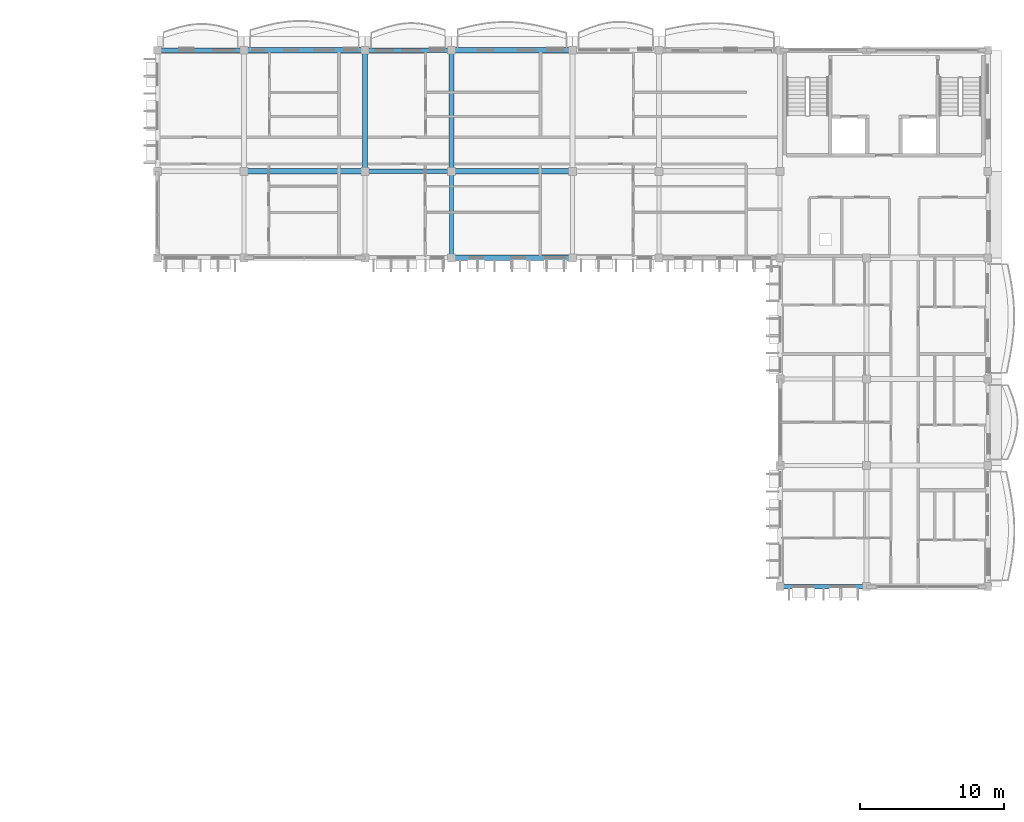
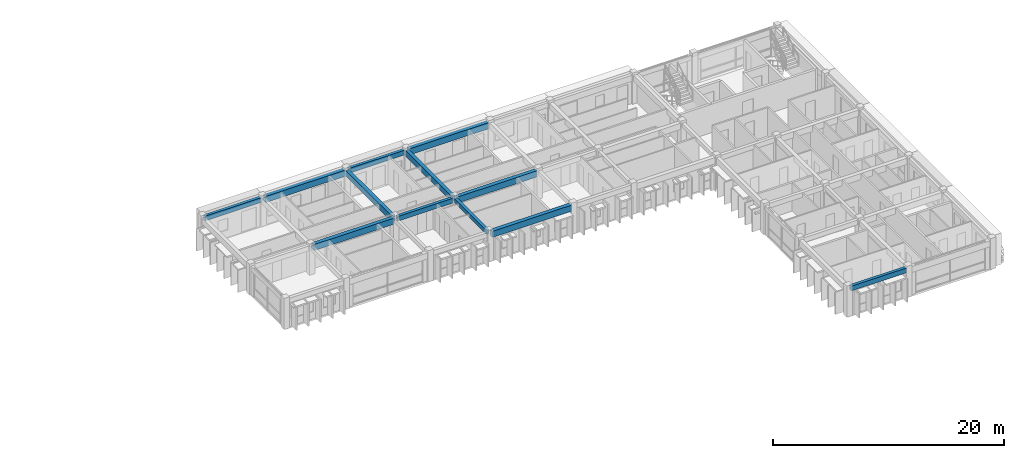
# One storey, part 5 of 31: 12 beams.
"""IFC4 building model written with IfcOpenShell, lengths in metres."""

from ifc_helpers import new_model, si_unit, direction, frame, origin, origin_2d, place, context, subcontext, project, spatial, rectangle, extrude, material, material_profile, profile_set, type_object, element, save


model = new_model("IFC4")

# Units and contexts
model_context = context("Model", 3, precision=1e-05, world=origin(), true_north=direction((0.0, 1.0)))
body_context = subcontext(model_context, "Body", "Model", "MODEL_VIEW")
ifc_project = project(units=[si_unit("LENGTHUNIT", "METRE"), si_unit("AREAUNIT", "SQUARE_METRE"), si_unit("VOLUMEUNIT", "CUBIC_METRE"), si_unit("PLANEANGLEUNIT", "RADIAN"), si_unit("MASSUNIT", "GRAM", prefix="KILO"), si_unit("THERMODYNAMICTEMPERATUREUNIT", "KELVIN")], contexts=[model_context])

# Site, building, storey
site_placement = place(None, origin())
site = spatial("IfcSite", under=ifc_project, at=site_placement, CompositionType="ELEMENT")
building_placement = place(site_placement, origin())
building = spatial("IfcBuilding", under=site, at=building_placement, Name="Thalorik Housing Commons", CompositionType="ELEMENT")
storey_placement = place(building_placement, frame((0.0, 0.0, 37.800048828125)))
storey = spatial("IfcBuildingStorey", under=building, at=storey_placement, Name="L11", CompositionType="ELEMENT", Elevation=37.800048828125)

# Beams
ifc_material = material(Name="Precast concrete C40/50", Category="concrete")
ifc_material_profile_1 = material_profile(ifc_material, rectangle(XDim=0.280029296875, YDim=0.449951171875, at=origin_2d()), Name="PC 280x450", Category="concrete")
ifc_profile_set_1 = profile_set([ifc_material_profile_1], Name="Precast concrete C40/50")
beam_type_1 = type_object("IfcBeamType", Name="STR-BM-PC280x450", PredefinedType="BEAM", material=ifc_profile_set_1)
beam_placement = place(storey_placement, frame((129.60009765625, 109.425048828125, 2.81494140625), z_axis=(0.0, 1.0, 0.0), x_axis=(-1.0, 0.0, 0.0)))
element("IfcBeam", 1, at=beam_placement, inside=storey, type_object=beam_type_1, Name="L11 Beam B-450", PredefinedType="BEAM", context=body_context, shape_type="SweptSolid", body=[
    extrude(rectangle(XDim=0.280029296875, YDim=0.449951171875, at=origin_2d()), origin(), (0.0, 0.0, 1.0), 5.550048828125),
])
ifc_material_profile_2 = material_profile(ifc_material, rectangle(XDim=0.300048828125, YDim=0.5, at=origin_2d()), Name="PC 300x500", Category="concrete")
ifc_profile_set_2 = profile_set([ifc_material_profile_2], Name="Precast concrete C40/50")
beam_type_2 = type_object("IfcBeamType", Name="STR-BM-PC300x500", PredefinedType="BEAM", material=ifc_profile_set_2)
for number, where, z_axis, x_axis, name in (
    (2, (152.625, 86.39990234375, 2.7900390625), (1.0, 0.0, 0.0), (0.0, 1.0, 0.0), "L11 Beam B-500"),
    (3, (123.824951171875, 115.199951171875, 2.7900390625), (1.0, 0.0, 0.0), (0.0, 1.0, 0.0), "L11 Beam B-500"),
    (4, (109.425048828125, 123.60009765625, 2.7900390625), (1.0, 0.0, 0.0), (0.0, 1.0, 0.0), "L11 Beam B-500"),
    (5, (123.824951171875, 123.60009765625, 2.7900390625), (1.0, 0.0, 0.0), (0.0, 1.0, 0.0), "L11 Beam B-500"),
):
    element("IfcBeam", number, at=place(storey_placement, frame(where, z_axis=z_axis, x_axis=x_axis)), inside=storey, type_object=beam_type_2, Name=name, PredefinedType="BEAM", context=body_context, shape_type="SweptSolid", body=[
        extrude(rectangle(XDim=0.300048828125, YDim=0.5, at=origin_2d()), origin(), (0.0, 0.0, 1.0), 5.550048828125),
    ])
ifc_material_profile_3 = material_profile(ifc_material, rectangle(XDim=0.35009765625, YDim=0.60009765625, at=origin_2d()), Name="PC 350x600", Category="concrete")
ifc_profile_set_3 = profile_set([ifc_material_profile_3], Name="Precast concrete C40/50")
beam_type_3 = type_object("IfcBeamType", Name="STR-BM-PC350x600", PredefinedType="BEAM", material=ifc_profile_set_3)
for number, where, z_axis, x_axis, name in (
    (6, (123.60009765625, 115.425048828125, 2.739990234375), (0.0, 1.0, 0.0), (-1.0, 0.0, 0.0), "L11 Beam B-600"),
    (7, (129.60009765625, 115.425048828125, 2.739990234375), (0.0, 1.0, 0.0), (-1.0, 0.0, 0.0), "L11 Beam B-600"),
):
    element("IfcBeam", number, at=place(storey_placement, frame(where, z_axis=z_axis, x_axis=x_axis)), inside=storey, type_object=beam_type_3, Name=name, PredefinedType="BEAM", context=body_context, shape_type="SweptSolid", body=[
        extrude(rectangle(XDim=0.35009765625, YDim=0.60009765625, at=origin_2d()), origin(), (0.0, 0.0, 1.0), 7.949951171875),
    ])
ifc_material_profile_4 = material_profile(ifc_material, rectangle(XDim=0.3798828125, YDim=0.64990234375, at=origin_2d()), Name="PC 380x650", Category="concrete")
ifc_profile_set_4 = profile_set([ifc_material_profile_4], Name="Precast concrete C40/50")
beam_type_4 = type_object("IfcBeamType", Name="STR-BM-PC380x650", PredefinedType="BEAM", material=ifc_profile_set_4)
for number, where, z_axis, x_axis, name in (
    (8, (129.824951171875, 109.199951171875, 2.71484375), (1.0, 0.0, 0.0), (0.0, 1.0, 0.0), "L11 Beam B-650"),
    (9, (115.425048828125, 115.199951171875, 2.71484375), (1.0, 0.0, 0.0), (0.0, 1.0, 0.0), "L11 Beam B-650"),
    (10, (129.824951171875, 115.199951171875, 2.71484375), (1.0, 0.0, 0.0), (0.0, 1.0, 0.0), "L11 Beam B-650"),
    (11, (115.425048828125, 123.60009765625, 2.71484375), (1.0, 0.0, 0.0), (0.0, 1.0, 0.0), "L11 Beam B-650"),
    (12, (129.824951171875, 123.60009765625, 2.71484375), (1.0, 0.0, 0.0), (0.0, 1.0, 0.0), "L11 Beam B-650"),
):
    element("IfcBeam", number, at=place(storey_placement, frame(where, z_axis=z_axis, x_axis=x_axis)), inside=storey, type_object=beam_type_4, Name=name, PredefinedType="BEAM", context=body_context, shape_type="SweptSolid", body=[
        extrude(rectangle(XDim=0.3798828125, YDim=0.64990234375, at=origin_2d()), origin(), (0.0, 0.0, 1.0), 7.949951171875),
    ])

save(model, "model.ifc")
